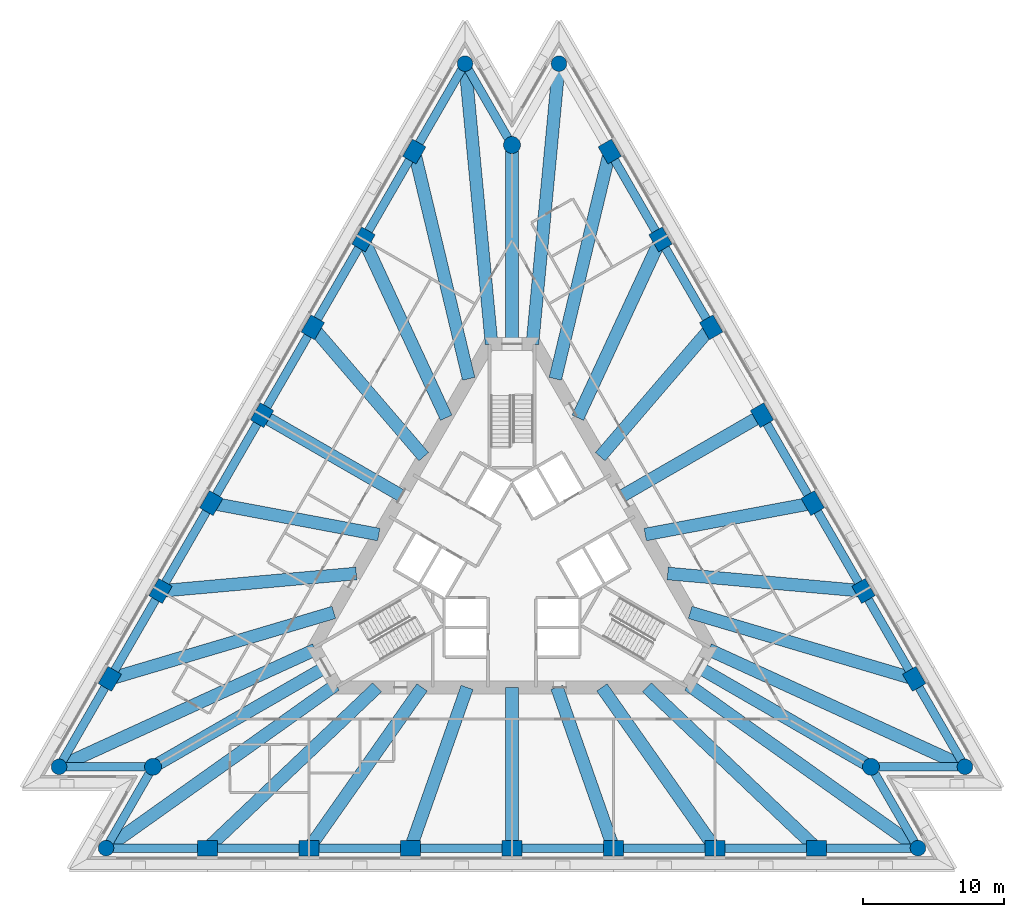
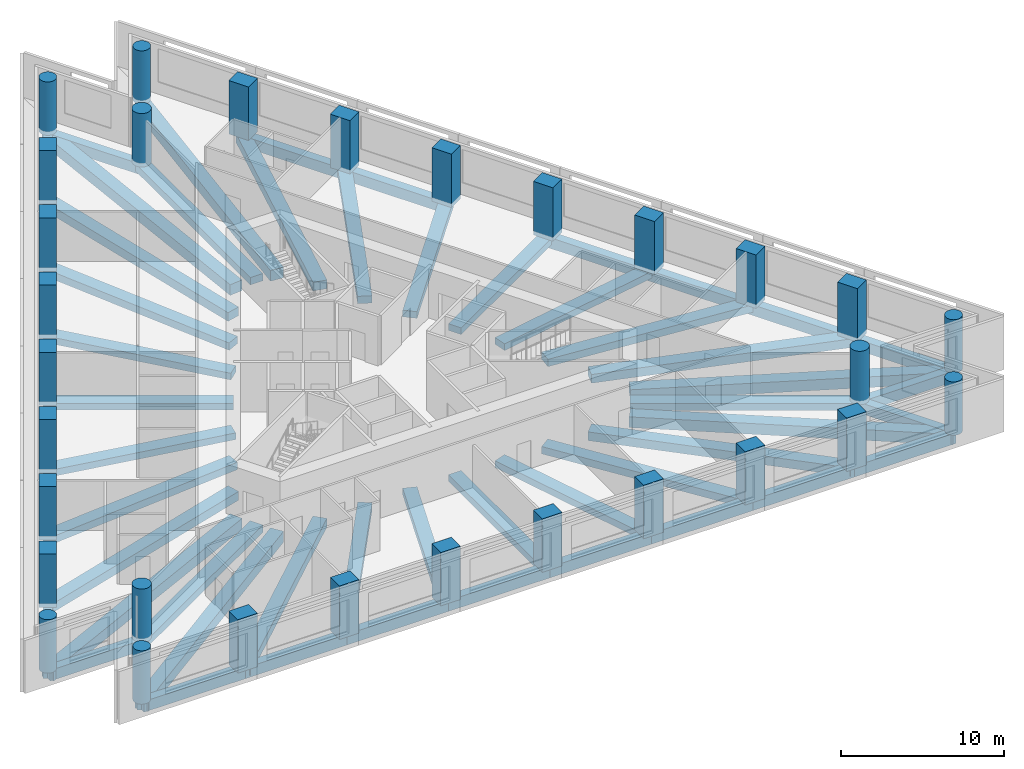
# One storey, part 1 of 11: 57 beams, 30 columns.
"""IFC4 building model written with IfcOpenShell, lengths in metres."""

from ifc_helpers import new_model, si_unit, direction, frame, origin, origin_2d, place, context, subcontext, project, spatial, rectangle, circle, extrude, material, material_profile, profile_set, type_object, element, save


model = new_model("IFC4")

# Units and contexts
model_context = context("Model", 3, precision=1e-05, world=origin(), true_north=direction((0.0, 1.0)))
body_context = subcontext(model_context, "Body", "Model", "MODEL_VIEW")
ifc_project = project(units=[si_unit("LENGTHUNIT", "METRE"), si_unit("AREAUNIT", "SQUARE_METRE"), si_unit("VOLUMEUNIT", "CUBIC_METRE"), si_unit("PLANEANGLEUNIT", "RADIAN"), si_unit("MASSUNIT", "GRAM", prefix="KILO")], contexts=[model_context])

# Site, building, storey
site_placement = place(None, origin())
site = spatial("IfcSite", under=ifc_project, at=site_placement, CompositionType="ELEMENT")
building_placement = place(site_placement, origin())
building = spatial("IfcBuilding", under=site, at=building_placement, Name="Triada Interchange Tower", CompositionType="ELEMENT")
storey_placement = place(building_placement, frame((0.0, 0.0, 87.300048828125)))
storey = spatial("IfcBuildingStorey", under=building, at=storey_placement, Name="L19", CompositionType="ELEMENT", Elevation=87.300048828125)

# Columns
ifc_material_1 = material(Name="Concrete C70/85", Category="concrete")
ifc_material_profile_1 = material_profile(ifc_material_1, rectangle(XDim=1.39990234375, YDim=1.10009765625, at=origin_2d()), Name="RC 1400x1100")
ifc_profile_set_1 = profile_set([ifc_material_profile_1], Name="Concrete C70/85")
column_type_1 = type_object("IfcColumnType", Name="Column A face RC 1400x1100", PredefinedType="COLUMN", material=ifc_profile_set_1)
for number, where, z_axis, x_axis, name in (
    (1, (-6.9169921875, 28.8779296875, -0.300048828125), (0.0, 0.0, 1.0), (0.5, 0.866025403784, 0.0), "Column CA02 L19"),
    (2, (-10.508056640625, 22.656982421875, -0.300048828125), (0.0, 0.0, 1.0), (0.5, 0.866025403784, 0.0), "Column CA03 L19"),
    (3, (-14.10009765625, 16.43603515625, -0.300048828125), (0.0, 0.0, 1.0), (0.5, 0.866025403784, 0.0), "Column CA04 L19"),
    (4, (-17.69189453125, 10.214111328125, -0.300048828125), (0.0, 0.0, 1.0), (0.5, 0.866025403784, 0.0), "Column CA05 L19"),
    (5, (-21.283935546875, 3.992919921875, -0.300048828125), (0.0, 0.0, 1.0), (0.5, 0.866025403784, 0.0), "Column CA06 L19"),
    (6, (-24.8759765625, -2.22802734375, -0.300048828125), (0.0, 0.0, 1.0), (0.5, 0.866025403784, 0.0), "Column CA07 L19"),
    (7, (-28.467041015625, -8.448974609375, -0.300048828125), (0.0, 0.0, 1.0), (0.5, 0.866025403784, 0.0), "Column CA08 L19"),
    (8, (-21.550048828125, -20.428955078125, -0.300048828125), (0.0, 0.0, 1.0), (1.0, 0.0, 0.0), "Column CA11 L19"),
    (9, (-14.366943359375, -20.428955078125, -0.300048828125), (0.0, 0.0, 1.0), (1.0, 0.0, 0.0), "Column CA12 L19"),
    (10, (-7.18408203125, -20.428955078125, -0.300048828125), (0.0, 0.0, 1.0), (1.0, 0.0, 0.0), "Column CA13 L19"),
    (11, (0.0, -20.428955078125, -0.300048828125), (0.0, 0.0, 1.0), (1.0, 0.0, 0.0), "Column CA14 L19"),
    (12, (7.18408203125, -20.428955078125, -0.300048828125), (0.0, 0.0, 1.0), (1.0, 0.0, 0.0), "Column CA15 L19"),
    (13, (14.366943359375, -20.428955078125, -0.300048828125), (0.0, 0.0, 1.0), (1.0, 0.0, 0.0), "Column CA16 L19"),
    (14, (21.550048828125, -20.428955078125, -0.300048828125), (0.0, 0.0, 1.0), (1.0, 0.0, 0.0), "Column CA17 L19"),
    (15, (28.467041015625, -8.448974609375, -0.300048828125), (0.0, 0.0, 1.0), (-0.5, 0.866025403784, 0.0), "Column CA20 L19"),
    (16, (24.8759765625, -2.22802734375, -0.300048828125), (0.0, 0.0, 1.0), (-0.5, 0.866025403784, 0.0), "Column CA21 L19"),
    (17, (21.283935546875, 3.992919921875, -0.300048828125), (0.0, 0.0, 1.0), (-0.5, 0.866025403784, 0.0), "Column CA22 L19"),
    (18, (17.69189453125, 10.214111328125, -0.300048828125), (0.0, 0.0, 1.0), (-0.5, 0.866025403784, 0.0), "Column CA23 L19"),
    (19, (14.10009765625, 16.43603515625, -0.300048828125), (0.0, 0.0, 1.0), (-0.5, 0.866025403784, 0.0), "Column CA24 L19"),
    (20, (10.508056640625, 22.656982421875, -0.300048828125), (0.0, 0.0, 1.0), (-0.5, 0.866025403784, 0.0), "Column CA25 L19"),
    (21, (6.9169921875, 28.8779296875, -0.300048828125), (0.0, 0.0, 1.0), (-0.5, 0.866025403784, 0.0), "Column CA26 L19"),
):
    element("IfcColumn", number, at=place(storey_placement, frame(where, z_axis=z_axis, x_axis=x_axis)), inside=storey, type_object=column_type_1, Name=name, PredefinedType="COLUMN", context=body_context, shape_type="SweptSolid", body=[
        extrude(rectangle(XDim=1.39990234375, YDim=1.10009765625, at=origin_2d()), origin(), (0.0, 0.0, 1.0), 4.0),
    ])
ifc_material_profile_2 = material_profile(ifc_material_1, circle(Radius=0.550048828125, at=origin_2d()), Name="RC D1100")
ifc_profile_set_2 = profile_set([ifc_material_profile_2], Name="Concrete C70/85")
column_type_2 = type_object("IfcColumnType", Name="End column A RC D1100", PredefinedType="COLUMN", material=ifc_profile_set_2)
for number, where, z_axis, x_axis, name in (
    (22, (-3.324951171875, 35.09912109375, -0.300048828125), (0.0, 0.0, 1.0), (0.5, 0.866025403784, 0.0), "Column CA01 L19"),
    (23, (-32.05908203125, -14.669921875, -0.300048828125), (0.0, 0.0, 1.0), (0.5, 0.866025403784, 0.0), "Column CA09 L19"),
    (24, (-28.73388671875, -20.428955078125, -0.300048828125), (0.0, 0.0, 1.0), (1.0, 0.0, 0.0), "Column CA10 L19"),
    (25, (28.73388671875, -20.428955078125, -0.300048828125), (0.0, 0.0, 1.0), (1.0, 0.0, 0.0), "Column CA18 L19"),
    (26, (32.05908203125, -14.669921875, -0.300048828125), (0.0, 0.0, 1.0), (-0.5, 0.866025403784, 0.0), "Column CA19 L19"),
    (27, (3.324951171875, 35.09912109375, -0.300048828125), (0.0, 0.0, 1.0), (-0.5, 0.866025403784, 0.0), "Column CA27 L19"),
):
    element("IfcColumn", number, at=place(storey_placement, frame(where, z_axis=z_axis, x_axis=x_axis)), inside=storey, type_object=column_type_2, Name=name, PredefinedType="COLUMN", context=body_context, shape_type="SweptSolid", body=[
        extrude(circle(Radius=0.550048828125, at=origin_2d()), origin(), (0.0, 0.0, 1.0), 4.0),
    ])
ifc_material_profile_3 = material_profile(ifc_material_1, circle(Radius=0.60009765625, at=origin_2d()), Name="RC D1200")
ifc_profile_set_3 = profile_set([ifc_material_profile_3], Name="Concrete C70/85")
column_type_3 = type_object("IfcColumnType", Name="Mega column A RC D1200", PredefinedType="COLUMN", material=ifc_profile_set_3)
for number, where, z_axis, x_axis, name in (
    (28, (0.0, 29.340087890625, -0.300048828125), (0.0, 0.0, 1.0), (1.0, 0.0, 0.0), "Column MA1 L19"),
    (29, (-25.408935546875, -14.669921875, -0.300048828125), (0.0, 0.0, 1.0), (1.0, 0.0, 0.0), "Column MA2 L19"),
    (30, (25.408935546875, -14.669921875, -0.300048828125), (0.0, 0.0, 1.0), (1.0, 0.0, 0.0), "Column MA3 L19"),
):
    element("IfcColumn", number, at=place(storey_placement, frame(where, z_axis=z_axis, x_axis=x_axis)), inside=storey, type_object=column_type_3, Name=name, PredefinedType="COLUMN", context=body_context, shape_type="SweptSolid", body=[
        extrude(circle(Radius=0.60009765625, at=origin_2d()), origin(), (0.0, 0.0, 1.0), 4.0),
    ])

# Beams
ifc_material_2 = material(Name="Concrete C50/60", Category="concrete")
ifc_material_profile_4 = material_profile(ifc_material_2, rectangle(XDim=0.89990234375, YDim=0.5, at=origin_2d()), Name="RC 900x500")
ifc_profile_set_4 = profile_set([ifc_material_profile_4], Name="Concrete C50/60")
beam_type_1 = type_object("IfcBeamType", Name="Radial band beam A RC 900x500", PredefinedType="BEAM", material=ifc_profile_set_4)
beam_1_placement = place(storey_placement, frame((-14.10009765625, 16.43603515625, -0.550048828125), z_axis=(0.651118009222, -0.758976506927, 0.0), x_axis=(0.758976506927, 0.651118009222, 0.0)))
element("IfcBeam", 31, at=beam_1_placement, inside=storey, type_object=beam_type_1, Name="Radial band beam BA04 L19", PredefinedType="BEAM", context=body_context, shape_type="SweptSolid", body=[
    extrude(rectangle(XDim=0.89990234375, YDim=0.5, at=origin_2d()), origin(), (0.0, 0.0, 1.0), 12.062255859375),
])
beam_2_placement = place(storey_placement, frame((-17.69189453125, 10.214111328125, -0.550048828125), z_axis=(0.866025511234, -0.499999813892, 0.0), x_axis=(0.499999813892, 0.866025511234, 0.0)))
element("IfcBeam", 32, at=beam_2_placement, inside=storey, type_object=beam_type_1, Name="Radial band beam BA05 L19", PredefinedType="BEAM", context=body_context, shape_type="SweptSolid", body=[
    extrude(rectangle(XDim=0.89990234375, YDim=0.5, at=origin_2d()), origin(), (0.0, 0.0, 1.0), 11.37841796875),
])
beam_3_placement = place(storey_placement, frame((-21.283935546875, 3.992919921875, -0.550048828125), z_axis=(0.982856143277, -0.184374080669, 0.0), x_axis=(0.184374080669, 0.982856143277, 0.0)))
element("IfcBeam", 33, at=beam_3_placement, inside=storey, type_object=beam_type_1, Name="Radial band beam BA06 L19", PredefinedType="BEAM", context=body_context, shape_type="SweptSolid", body=[
    extrude(rectangle(XDim=0.89990234375, YDim=0.5, at=origin_2d()), origin(), (0.0, 0.0, 1.0), 12.061767578125),
])
beam_4_placement = place(storey_placement, frame((-7.18408203125, -20.428955078125, -0.550048828125), z_axis=(0.33179614562, 0.943351110537, 0.0), x_axis=(-0.943351110537, 0.33179614562, 0.0)))
element("IfcBeam", 34, at=beam_4_placement, inside=storey, type_object=beam_type_1, Name="Radial band beam BA14 L19", PredefinedType="BEAM", context=body_context, shape_type="SweptSolid", body=[
    extrude(rectangle(XDim=0.89990234375, YDim=0.5, at=origin_2d()), origin(), (0.0, 0.0, 1.0), 12.062255859375),
])
beam_5_placement = place(storey_placement, frame((0.0, -20.428955078125, -0.550048828125), z_axis=(0.0, 1.0, 0.0), x_axis=(-1.0, 0.0, 0.0)))
element("IfcBeam", 35, at=beam_5_placement, inside=storey, type_object=beam_type_1, Name="Radial band beam BA15 L19", PredefinedType="BEAM", context=body_context, shape_type="SweptSolid", body=[
    extrude(rectangle(XDim=0.89990234375, YDim=0.5, at=origin_2d()), origin(), (0.0, 0.0, 1.0), 11.37890625),
])
beam_6_placement = place(storey_placement, frame((7.18408203125, -20.428955078125, -0.550048828125), z_axis=(-0.33179614562, 0.943351110537, 0.0), x_axis=(-0.943351110537, -0.33179614562, 0.0)))
element("IfcBeam", 36, at=beam_6_placement, inside=storey, type_object=beam_type_1, Name="Radial band beam BA16 L19", PredefinedType="BEAM", context=body_context, shape_type="SweptSolid", body=[
    extrude(rectangle(XDim=0.89990234375, YDim=0.5, at=origin_2d()), origin(), (0.0, 0.0, 1.0), 12.062255859375),
])
beam_7_placement = place(storey_placement, frame((21.283935546875, 3.992919921875, -0.550048828125), z_axis=(-0.982856143277, -0.184374080669, 0.0), x_axis=(0.184374080669, -0.982856143277, 0.0)))
element("IfcBeam", 37, at=beam_7_placement, inside=storey, type_object=beam_type_1, Name="Radial band beam BA24 L19", PredefinedType="BEAM", context=body_context, shape_type="SweptSolid", body=[
    extrude(rectangle(XDim=0.89990234375, YDim=0.5, at=origin_2d()), origin(), (0.0, 0.0, 1.0), 12.061767578125),
])
beam_8_placement = place(storey_placement, frame((17.69189453125, 10.214111328125, -0.550048828125), z_axis=(-0.866025511234, -0.499999813892, 0.0), x_axis=(0.499999813892, -0.866025511234, 0.0)))
element("IfcBeam", 38, at=beam_8_placement, inside=storey, type_object=beam_type_1, Name="Radial band beam BA25 L19", PredefinedType="BEAM", context=body_context, shape_type="SweptSolid", body=[
    extrude(rectangle(XDim=0.89990234375, YDim=0.5, at=origin_2d()), origin(), (0.0, 0.0, 1.0), 11.37841796875),
])
beam_9_placement = place(storey_placement, frame((14.10009765625, 16.43603515625, -0.550048828125), z_axis=(-0.651118009222, -0.758976506927, 0.0), x_axis=(0.758976506927, -0.651118009222, 0.0)))
element("IfcBeam", 39, at=beam_9_placement, inside=storey, type_object=beam_type_1, Name="Radial band beam BA26 L19", PredefinedType="BEAM", context=body_context, shape_type="SweptSolid", body=[
    extrude(rectangle(XDim=0.89990234375, YDim=0.5, at=origin_2d()), origin(), (0.0, 0.0, 1.0), 12.062255859375),
])
ifc_material_profile_5 = material_profile(ifc_material_2, rectangle(XDim=0.89990234375, YDim=0.550048828125, at=origin_2d()), Name="RC 900x550")
ifc_profile_set_5 = profile_set([ifc_material_profile_5], Name="Concrete C50/60")
beam_type_2 = type_object("IfcBeamType", Name="Radial band beam A RC 900x550", PredefinedType="BEAM", material=ifc_profile_set_5)
beam_10_placement = place(storey_placement, frame((-10.508056640625, 22.656982421875, -0.574951171875), z_axis=(0.420744654852, -0.907179108783, 0.0), x_axis=(0.907179108783, 0.420744654852, 0.0)))
element("IfcBeam", 40, at=beam_10_placement, inside=storey, type_object=beam_type_2, Name="Radial band beam BA03 L19", PredefinedType="BEAM", context=body_context, shape_type="SweptSolid", body=[
    extrude(rectangle(XDim=0.89990234375, YDim=0.550048828125, at=origin_2d()), origin(), (0.0, 0.0, 1.0), 13.9111328125),
])
beam_11_placement = place(storey_placement, frame((-24.8759765625, -2.22802734375, -0.574951171875), z_axis=(0.996013294925, 0.089204912043, 0.0), x_axis=(-0.089204912043, 0.996013294925, 0.0)))
element("IfcBeam", 41, at=beam_11_placement, inside=storey, type_object=beam_type_2, Name="Radial band beam BA07 L19", PredefinedType="BEAM", context=body_context, shape_type="SweptSolid", body=[
    extrude(rectangle(XDim=0.89990234375, YDim=0.550048828125, at=origin_2d()), origin(), (0.0, 0.0, 1.0), 13.911376953125),
])
beam_12_placement = place(storey_placement, frame((-25.408935546875, -14.669921875, -0.574951171875), z_axis=(0.866020820126, 0.500007939045, 0.0), x_axis=(-0.500007939045, 0.866020820126, 0.0)))
element("IfcBeam", 42, at=beam_12_placement, inside=storey, type_object=beam_type_2, Name="Radial band beam BA10 L19", PredefinedType="BEAM", context=body_context, shape_type="SweptSolid", body=[
    extrude(rectangle(XDim=0.89990234375, YDim=0.550048828125, at=origin_2d()), origin(), (0.0, 0.0, 1.0), 14.089599609375),
])
for number, where, z_axis, x_axis, name in (
    (43, (-14.366943359375, -20.428955078125, -0.574951171875), (0.575232535811, 0.817989932545, 0.0), (-0.817989932545, 0.575232535811, 0.0), "Radial band beam BA13 L19"),
    (44, (14.366943359375, -20.428955078125, -0.574951171875), (-0.575232535811, 0.817989932545, 0.0), (-0.817989932545, -0.575232535811, 0.0), "Radial band beam BA17 L19"),
):
    element("IfcBeam", number, at=place(storey_placement, frame(where, z_axis=z_axis, x_axis=x_axis)), inside=storey, type_object=beam_type_2, Name=name, PredefinedType="BEAM", context=body_context, shape_type="SweptSolid", body=[
        extrude(rectangle(XDim=0.89990234375, YDim=0.550048828125, at=origin_2d()), origin(), (0.0, 0.0, 1.0), 13.910888671875),
    ])
beam_13_placement = place(storey_placement, frame((25.408935546875, -14.669921875, -0.574951171875), z_axis=(-0.866020820126, 0.500007939045, 0.0), x_axis=(-0.500007939045, -0.866020820126, 0.0)))
element("IfcBeam", 45, at=beam_13_placement, inside=storey, type_object=beam_type_2, Name="Radial band beam BA20 L19", PredefinedType="BEAM", context=body_context, shape_type="SweptSolid", body=[
    extrude(rectangle(XDim=0.89990234375, YDim=0.550048828125, at=origin_2d()), origin(), (0.0, 0.0, 1.0), 14.089599609375),
])
beam_14_placement = place(storey_placement, frame((24.8759765625, -2.22802734375, -0.574951171875), z_axis=(-0.996013294925, 0.089204912043, 0.0), x_axis=(-0.089204912043, -0.996013294925, 0.0)))
element("IfcBeam", 46, at=beam_14_placement, inside=storey, type_object=beam_type_2, Name="Radial band beam BA23 L19", PredefinedType="BEAM", context=body_context, shape_type="SweptSolid", body=[
    extrude(rectangle(XDim=0.89990234375, YDim=0.550048828125, at=origin_2d()), origin(), (0.0, 0.0, 1.0), 13.911376953125),
])
beam_15_placement = place(storey_placement, frame((10.508056640625, 22.656982421875, -0.574951171875), z_axis=(-0.420744654852, -0.907179108783, 0.0), x_axis=(0.907179108783, -0.420744654852, 0.0)))
element("IfcBeam", 47, at=beam_15_placement, inside=storey, type_object=beam_type_2, Name="Radial band beam BA27 L19", PredefinedType="BEAM", context=body_context, shape_type="SweptSolid", body=[
    extrude(rectangle(XDim=0.89990234375, YDim=0.550048828125, at=origin_2d()), origin(), (0.0, 0.0, 1.0), 13.9111328125),
])
beam_16_placement = place(storey_placement, frame((0.0, 29.340087890625, -0.574951171875), z_axis=(0.0, -1.0, 0.0), x_axis=(1.0, 0.0, 0.0)))
element("IfcBeam", 48, at=beam_16_placement, inside=storey, type_object=beam_type_2, Name="Radial band beam BA30 L19", PredefinedType="BEAM", context=body_context, shape_type="SweptSolid", body=[
    extrude(rectangle(XDim=0.89990234375, YDim=0.550048828125, at=origin_2d()), origin(), (0.0, 0.0, 1.0), 14.090087890625),
])
ifc_material_profile_6 = material_profile(ifc_material_2, rectangle(XDim=0.89990234375, YDim=0.64990234375, at=origin_2d()), Name="RC 900x650")
ifc_profile_set_6 = profile_set([ifc_material_profile_6], Name="Concrete C50/60")
beam_type_3 = type_object("IfcBeamType", Name="Radial band beam A RC 900x650", PredefinedType="BEAM", material=ifc_profile_set_6)
beam_17_placement = place(storey_placement, frame((-6.9169921875, 28.8779296875, -0.625), z_axis=(0.232938621419, -0.972491438858, 0.0), x_axis=(0.972491438858, 0.232938621419, 0.0)))
element("IfcBeam", 49, at=beam_17_placement, inside=storey, type_object=beam_type_3, Name="Radial band beam BA02 L19", PredefinedType="BEAM", context=body_context, shape_type="SweptSolid", body=[
    extrude(rectangle(XDim=0.89990234375, YDim=0.64990234375, at=origin_2d()), origin(), (0.0, 0.0, 1.0), 16.541015625),
])
beam_18_placement = place(storey_placement, frame((-28.467041015625, -8.448974609375, -0.625), z_axis=(0.958666370903, 0.284532580383, 0.0), x_axis=(-0.284532580383, 0.958666370903, 0.0)))
element("IfcBeam", 50, at=beam_18_placement, inside=storey, type_object=beam_type_3, Name="Radial band beam BA08 L19", PredefinedType="BEAM", context=body_context, shape_type="SweptSolid", body=[
    extrude(rectangle(XDim=0.89990234375, YDim=0.64990234375, at=origin_2d()), origin(), (0.0, 0.0, 1.0), 16.53955078125),
])
for number, where, z_axis, x_axis, name in (
    (51, (-21.550048828125, -20.428955078125, -0.625), (0.725719910924, 0.687990269472, 0.0), (-0.687990269472, 0.725719910924, 0.0), "Radial band beam BA12 L19"),
    (52, (21.550048828125, -20.428955078125, -0.625), (-0.725719910924, 0.687990269472, 0.0), (-0.687990269472, -0.725719910924, 0.0), "Radial band beam BA18 L19"),
):
    element("IfcBeam", number, at=place(storey_placement, frame(where, z_axis=z_axis, x_axis=x_axis)), inside=storey, type_object=beam_type_3, Name=name, PredefinedType="BEAM", context=body_context, shape_type="SweptSolid", body=[
        extrude(rectangle(XDim=0.89990234375, YDim=0.64990234375, at=origin_2d()), origin(), (0.0, 0.0, 1.0), 16.539306640625),
    ])
beam_19_placement = place(storey_placement, frame((28.467041015625, -8.448974609375, -0.625), z_axis=(-0.958666370903, 0.284532580383, 0.0), x_axis=(-0.284532580383, -0.958666370903, 0.0)))
element("IfcBeam", 53, at=beam_19_placement, inside=storey, type_object=beam_type_3, Name="Radial band beam BA22 L19", PredefinedType="BEAM", context=body_context, shape_type="SweptSolid", body=[
    extrude(rectangle(XDim=0.89990234375, YDim=0.64990234375, at=origin_2d()), origin(), (0.0, 0.0, 1.0), 16.53955078125),
])
beam_20_placement = place(storey_placement, frame((6.9169921875, 28.8779296875, -0.625), z_axis=(-0.232938621419, -0.972491438858, 0.0), x_axis=(0.972491438858, -0.232938621419, 0.0)))
element("IfcBeam", 54, at=beam_20_placement, inside=storey, type_object=beam_type_3, Name="Radial band beam BA28 L19", PredefinedType="BEAM", context=body_context, shape_type="SweptSolid", body=[
    extrude(rectangle(XDim=0.89990234375, YDim=0.64990234375, at=origin_2d()), origin(), (0.0, 0.0, 1.0), 16.541015625),
])
ifc_material_profile_7 = material_profile(ifc_material_2, rectangle(XDim=0.89990234375, YDim=0.800048828125, at=origin_2d()), Name="RC 900x800")
ifc_profile_set_7 = profile_set([ifc_material_profile_7], Name="Concrete C50/60")
beam_type_4 = type_object("IfcBeamType", Name="Radial band beam A RC 900x800", PredefinedType="BEAM", material=ifc_profile_set_7)
for number, where, z_axis, x_axis, name in (
    (55, (-3.324951171875, 35.09912109375, -0.699951171875), (0.09428669852, -0.995545086112, 0.0), (0.995545086112, 0.09428669852, 0.0), "Radial band beam BA01 L19"),
    (56, (-32.05908203125, -14.669921875, -0.699951171875), (0.909325724629, 0.416084999163, 0.0), (-0.416084999163, 0.909325724629, 0.0), "Radial band beam BA09 L19"),
):
    element("IfcBeam", number, at=place(storey_placement, frame(where, z_axis=z_axis, x_axis=x_axis)), inside=storey, type_object=beam_type_4, Name=name, PredefinedType="BEAM", context=body_context, shape_type="SweptSolid", body=[
        extrude(rectangle(XDim=0.89990234375, YDim=0.800048828125, at=origin_2d()), origin(), (0.0, 0.0, 1.0), 19.93798828125),
    ])
for number, where, z_axis, x_axis, name in (
    (57, (-28.73388671875, -20.428955078125, -0.699951171875), (0.815016363513, 0.579437940772, 0.0), (-0.579437940772, 0.815016363513, 0.0), "Radial band beam BA11 L19"),
    (58, (28.73388671875, -20.428955078125, -0.699951171875), (-0.815016363513, 0.579437940772, 0.0), (-0.579437940772, -0.815016363513, 0.0), "Radial band beam BA19 L19"),
):
    element("IfcBeam", number, at=place(storey_placement, frame(where, z_axis=z_axis, x_axis=x_axis)), inside=storey, type_object=beam_type_4, Name=name, PredefinedType="BEAM", context=body_context, shape_type="SweptSolid", body=[
        extrude(rectangle(XDim=0.89990234375, YDim=0.800048828125, at=origin_2d()), origin(), (0.0, 0.0, 1.0), 19.938232421875),
    ])
for number, where, z_axis, x_axis, name in (
    (59, (32.05908203125, -14.669921875, -0.699951171875), (-0.909325724629, 0.416084999163, 0.0), (-0.416084999163, -0.909325724629, 0.0), "Radial band beam BA21 L19"),
    (60, (3.324951171875, 35.09912109375, -0.699951171875), (-0.09428669852, -0.995545086112, 0.0), (0.995545086112, -0.09428669852, 0.0), "Radial band beam BA29 L19"),
):
    element("IfcBeam", number, at=place(storey_placement, frame(where, z_axis=z_axis, x_axis=x_axis)), inside=storey, type_object=beam_type_4, Name=name, PredefinedType="BEAM", context=body_context, shape_type="SweptSolid", body=[
        extrude(rectangle(XDim=0.89990234375, YDim=0.800048828125, at=origin_2d()), origin(), (0.0, 0.0, 1.0), 19.93798828125),
    ])
ifc_material_profile_8 = material_profile(ifc_material_2, rectangle(XDim=0.60009765625, YDim=0.800048828125, at=origin_2d()), Name="RC 600x800")
ifc_profile_set_8 = profile_set([ifc_material_profile_8], Name="Concrete C50/60")
beam_type_5 = type_object("IfcBeamType", Name="Spandrel beam A RC 600x800", PredefinedType="BEAM", material=ifc_profile_set_8)
beam_21_placement = place(storey_placement, frame((-3.324951171875, 35.09912109375, -0.699951171875), z_axis=(-0.500024480384, -0.866011269567, 0.0), x_axis=(0.866011269567, -0.500024480384, 0.0)))
element("IfcBeam", 61, at=beam_21_placement, inside=storey, type_object=beam_type_5, Name="Spandrel beam EA01 L19", PredefinedType="BEAM", context=body_context, shape_type="SweptSolid", body=[
    extrude(rectangle(XDim=0.60009765625, YDim=0.800048828125, at=origin_2d()), origin(), (0.0, 0.0, 1.0), 7.183837890625),
])
beam_22_placement = place(storey_placement, frame((-6.9169921875, 28.8779296875, -0.699951171875), z_axis=(-0.49993723354, -0.866061638985, 0.0), x_axis=(0.866061638985, -0.49993723354, 0.0)))
element("IfcBeam", 62, at=beam_22_placement, inside=storey, type_object=beam_type_5, Name="Spandrel beam EA02 L19", PredefinedType="BEAM", context=body_context, shape_type="SweptSolid", body=[
    extrude(rectangle(XDim=0.60009765625, YDim=0.800048828125, at=origin_2d()), origin(), (0.0, 0.0, 1.0), 7.18310546875),
])
beam_23_placement = place(storey_placement, frame((-10.508056640625, 22.656982421875, -0.699951171875), z_axis=(-0.500039197255, -0.866002772056, 0.0), x_axis=(0.866002772056, -0.500039197255, 0.0)))
element("IfcBeam", 63, at=beam_23_placement, inside=storey, type_object=beam_type_5, Name="Spandrel beam EA03 L19", PredefinedType="BEAM", context=body_context, shape_type="SweptSolid", body=[
    extrude(rectangle(XDim=0.60009765625, YDim=0.800048828125, at=origin_2d()), origin(), (0.0, 0.0, 1.0), 7.18359375),
])
beam_24_placement = place(storey_placement, frame((-14.10009765625, 16.43603515625, -0.699951171875), z_axis=(-0.499954846121, -0.866051471819, 0.0), x_axis=(0.866051471819, -0.499954846121, 0.0)))
element("IfcBeam", 64, at=beam_24_placement, inside=storey, type_object=beam_type_5, Name="Spandrel beam EA04 L19", PredefinedType="BEAM", context=body_context, shape_type="SweptSolid", body=[
    extrude(rectangle(XDim=0.60009765625, YDim=0.800048828125, at=origin_2d()), origin(), (0.0, 0.0, 1.0), 7.184326171875),
])
beam_25_placement = place(storey_placement, frame((-17.69189453125, 10.214111328125, -0.699951171875), z_axis=(-0.500024480384, -0.866011269567, 0.0), x_axis=(0.866011269567, -0.500024480384, 0.0)))
element("IfcBeam", 65, at=beam_25_placement, inside=storey, type_object=beam_type_5, Name="Spandrel beam EA05 L19", PredefinedType="BEAM", context=body_context, shape_type="SweptSolid", body=[
    extrude(rectangle(XDim=0.60009765625, YDim=0.800048828125, at=origin_2d()), origin(), (0.0, 0.0, 1.0), 7.183837890625),
])
beam_26_placement = place(storey_placement, frame((-21.283935546875, 3.992919921875, -0.699951171875), z_axis=(-0.500039197255, -0.866002772056, 0.0), x_axis=(0.866002772056, -0.500039197255, 0.0)))
element("IfcBeam", 66, at=beam_26_placement, inside=storey, type_object=beam_type_5, Name="Spandrel beam EA06 L19", PredefinedType="BEAM", context=body_context, shape_type="SweptSolid", body=[
    extrude(rectangle(XDim=0.60009765625, YDim=0.800048828125, at=origin_2d()), origin(), (0.0, 0.0, 1.0), 7.18359375),
])
beam_27_placement = place(storey_placement, frame((-24.8759765625, -2.22802734375, -0.699951171875), z_axis=(-0.49993723354, -0.866061638985, 0.0), x_axis=(0.866061638985, -0.49993723354, 0.0)))
element("IfcBeam", 67, at=beam_27_placement, inside=storey, type_object=beam_type_5, Name="Spandrel beam EA07 L19", PredefinedType="BEAM", context=body_context, shape_type="SweptSolid", body=[
    extrude(rectangle(XDim=0.60009765625, YDim=0.800048828125, at=origin_2d()), origin(), (0.0, 0.0, 1.0), 7.18310546875),
])
beam_28_placement = place(storey_placement, frame((-28.467041015625, -8.448974609375, -0.699951171875), z_axis=(-0.500039197255, -0.866002772056, 0.0), x_axis=(0.866002772056, -0.500039197255, 0.0)))
element("IfcBeam", 68, at=beam_28_placement, inside=storey, type_object=beam_type_5, Name="Spandrel beam EA08 L19", PredefinedType="BEAM", context=body_context, shape_type="SweptSolid", body=[
    extrude(rectangle(XDim=0.60009765625, YDim=0.800048828125, at=origin_2d()), origin(), (0.0, 0.0, 1.0), 7.18359375),
])
beam_29_placement = place(storey_placement, frame((-32.05908203125, -14.669921875, -0.699951171875), z_axis=(1.0, 0.0, 0.0), x_axis=(0.0, 1.0, 0.0)))
element("IfcBeam", 69, at=beam_29_placement, inside=storey, type_object=beam_type_5, Name="Spandrel beam EA09 L19", PredefinedType="BEAM", context=body_context, shape_type="SweptSolid", body=[
    extrude(rectangle(XDim=0.60009765625, YDim=0.800048828125, at=origin_2d()), origin(), (0.0, 0.0, 1.0), 6.650146484375),
])
beam_30_placement = place(storey_placement, frame((-25.408935546875, -14.669921875, -0.699951171875), z_axis=(-0.49999681972, -0.866027239912, 0.0), x_axis=(0.866027239912, -0.49999681972, 0.0)))
element("IfcBeam", 70, at=beam_30_placement, inside=storey, type_object=beam_type_5, Name="Spandrel beam EA10 L19", PredefinedType="BEAM", context=body_context, shape_type="SweptSolid", body=[
    extrude(rectangle(XDim=0.60009765625, YDim=0.800048828125, at=origin_2d()), origin(), (0.0, 0.0, 1.0), 6.64990234375),
])
beam_31_placement = place(storey_placement, frame((-28.73388671875, -20.428955078125, -0.699951171875), z_axis=(1.0, 0.0, 0.0), x_axis=(0.0, 1.0, 0.0)))
element("IfcBeam", 71, at=beam_31_placement, inside=storey, type_object=beam_type_5, Name="Spandrel beam EA11 L19", PredefinedType="BEAM", context=body_context, shape_type="SweptSolid", body=[
    extrude(rectangle(XDim=0.60009765625, YDim=0.800048828125, at=origin_2d()), origin(), (0.0, 0.0, 1.0), 7.183837890625),
])
beam_32_placement = place(storey_placement, frame((-21.550048828125, -20.428955078125, -0.699951171875), z_axis=(1.0, 0.0, 0.0), x_axis=(0.0, 1.0, 0.0)))
element("IfcBeam", 72, at=beam_32_placement, inside=storey, type_object=beam_type_5, Name="Spandrel beam EA12 L19", PredefinedType="BEAM", context=body_context, shape_type="SweptSolid", body=[
    extrude(rectangle(XDim=0.60009765625, YDim=0.800048828125, at=origin_2d()), origin(), (0.0, 0.0, 1.0), 7.18310546875),
])
beam_33_placement = place(storey_placement, frame((-14.366943359375, -20.428955078125, -0.699951171875), z_axis=(1.0, 0.0, 0.0), x_axis=(0.0, 1.0, 0.0)))
element("IfcBeam", 73, at=beam_33_placement, inside=storey, type_object=beam_type_5, Name="Spandrel beam EA13 L19", PredefinedType="BEAM", context=body_context, shape_type="SweptSolid", body=[
    extrude(rectangle(XDim=0.60009765625, YDim=0.800048828125, at=origin_2d()), origin(), (0.0, 0.0, 1.0), 7.182861328125),
])
for number, where, z_axis, x_axis, name in (
    (74, (-7.18408203125, -20.428955078125, -0.699951171875), (1.0, 0.0, 0.0), (0.0, 1.0, 0.0), "Spandrel beam EA14 L19"),
    (75, (0.0, -20.428955078125, -0.699951171875), (1.0, 0.0, 0.0), (0.0, 1.0, 0.0), "Spandrel beam EA15 L19"),
):
    element("IfcBeam", number, at=place(storey_placement, frame(where, z_axis=z_axis, x_axis=x_axis)), inside=storey, type_object=beam_type_5, Name=name, PredefinedType="BEAM", context=body_context, shape_type="SweptSolid", body=[
        extrude(rectangle(XDim=0.60009765625, YDim=0.800048828125, at=origin_2d()), origin(), (0.0, 0.0, 1.0), 7.18408203125),
    ])
beam_34_placement = place(storey_placement, frame((7.18408203125, -20.428955078125, -0.699951171875), z_axis=(1.0, 0.0, 0.0), x_axis=(0.0, 1.0, 0.0)))
element("IfcBeam", 76, at=beam_34_placement, inside=storey, type_object=beam_type_5, Name="Spandrel beam EA16 L19", PredefinedType="BEAM", context=body_context, shape_type="SweptSolid", body=[
    extrude(rectangle(XDim=0.60009765625, YDim=0.800048828125, at=origin_2d()), origin(), (0.0, 0.0, 1.0), 7.182861328125),
])
beam_35_placement = place(storey_placement, frame((14.366943359375, -20.428955078125, -0.699951171875), z_axis=(1.0, 0.0, 0.0), x_axis=(0.0, 1.0, 0.0)))
element("IfcBeam", 77, at=beam_35_placement, inside=storey, type_object=beam_type_5, Name="Spandrel beam EA17 L19", PredefinedType="BEAM", context=body_context, shape_type="SweptSolid", body=[
    extrude(rectangle(XDim=0.60009765625, YDim=0.800048828125, at=origin_2d()), origin(), (0.0, 0.0, 1.0), 7.18310546875),
])
beam_36_placement = place(storey_placement, frame((21.550048828125, -20.428955078125, -0.699951171875), z_axis=(1.0, 0.0, 0.0), x_axis=(0.0, 1.0, 0.0)))
element("IfcBeam", 78, at=beam_36_placement, inside=storey, type_object=beam_type_5, Name="Spandrel beam EA18 L19", PredefinedType="BEAM", context=body_context, shape_type="SweptSolid", body=[
    extrude(rectangle(XDim=0.60009765625, YDim=0.800048828125, at=origin_2d()), origin(), (0.0, 0.0, 1.0), 7.183837890625),
])
beam_37_placement = place(storey_placement, frame((28.73388671875, -20.428955078125, -0.699951171875), z_axis=(-0.49999681972, 0.866027239912, 0.0), x_axis=(-0.866027239912, -0.49999681972, 0.0)))
element("IfcBeam", 79, at=beam_37_placement, inside=storey, type_object=beam_type_5, Name="Spandrel beam EA19 L19", PredefinedType="BEAM", context=body_context, shape_type="SweptSolid", body=[
    extrude(rectangle(XDim=0.60009765625, YDim=0.800048828125, at=origin_2d()), origin(), (0.0, 0.0, 1.0), 6.64990234375),
])
beam_38_placement = place(storey_placement, frame((25.408935546875, -14.669921875, -0.699951171875), z_axis=(1.0, 0.0, 0.0), x_axis=(0.0, 1.0, 0.0)))
element("IfcBeam", 80, at=beam_38_placement, inside=storey, type_object=beam_type_5, Name="Spandrel beam EA20 L19", PredefinedType="BEAM", context=body_context, shape_type="SweptSolid", body=[
    extrude(rectangle(XDim=0.60009765625, YDim=0.800048828125, at=origin_2d()), origin(), (0.0, 0.0, 1.0), 6.650146484375),
])
beam_39_placement = place(storey_placement, frame((32.05908203125, -14.669921875, -0.699951171875), z_axis=(-0.500039197255, 0.866002772056, 0.0), x_axis=(-0.866002772056, -0.500039197255, 0.0)))
element("IfcBeam", 81, at=beam_39_placement, inside=storey, type_object=beam_type_5, Name="Spandrel beam EA21 L19", PredefinedType="BEAM", context=body_context, shape_type="SweptSolid", body=[
    extrude(rectangle(XDim=0.60009765625, YDim=0.800048828125, at=origin_2d()), origin(), (0.0, 0.0, 1.0), 7.18359375),
])
beam_40_placement = place(storey_placement, frame((28.467041015625, -8.448974609375, -0.699951171875), z_axis=(-0.49993723354, 0.866061638985, 0.0), x_axis=(-0.866061638985, -0.49993723354, 0.0)))
element("IfcBeam", 82, at=beam_40_placement, inside=storey, type_object=beam_type_5, Name="Spandrel beam EA22 L19", PredefinedType="BEAM", context=body_context, shape_type="SweptSolid", body=[
    extrude(rectangle(XDim=0.60009765625, YDim=0.800048828125, at=origin_2d()), origin(), (0.0, 0.0, 1.0), 7.18310546875),
])
beam_41_placement = place(storey_placement, frame((24.8759765625, -2.22802734375, -0.699951171875), z_axis=(-0.500039197255, 0.866002772056, 0.0), x_axis=(-0.866002772056, -0.500039197255, 0.0)))
element("IfcBeam", 83, at=beam_41_placement, inside=storey, type_object=beam_type_5, Name="Spandrel beam EA23 L19", PredefinedType="BEAM", context=body_context, shape_type="SweptSolid", body=[
    extrude(rectangle(XDim=0.60009765625, YDim=0.800048828125, at=origin_2d()), origin(), (0.0, 0.0, 1.0), 7.18359375),
])
beam_42_placement = place(storey_placement, frame((21.283935546875, 3.992919921875, -0.699951171875), z_axis=(-0.500024480384, 0.866011269567, 0.0), x_axis=(-0.866011269567, -0.500024480384, 0.0)))
element("IfcBeam", 84, at=beam_42_placement, inside=storey, type_object=beam_type_5, Name="Spandrel beam EA24 L19", PredefinedType="BEAM", context=body_context, shape_type="SweptSolid", body=[
    extrude(rectangle(XDim=0.60009765625, YDim=0.800048828125, at=origin_2d()), origin(), (0.0, 0.0, 1.0), 7.183837890625),
])
beam_43_placement = place(storey_placement, frame((14.10009765625, 16.43603515625, -0.699951171875), z_axis=(-0.500039197255, 0.866002772056, 0.0), x_axis=(-0.866002772056, -0.500039197255, 0.0)))
element("IfcBeam", 85, at=beam_43_placement, inside=storey, type_object=beam_type_5, Name="Spandrel beam EA26 L19", PredefinedType="BEAM", context=body_context, shape_type="SweptSolid", body=[
    extrude(rectangle(XDim=0.60009765625, YDim=0.800048828125, at=origin_2d()), origin(), (0.0, 0.0, 1.0), 7.18359375),
])
beam_44_placement = place(storey_placement, frame((10.508056640625, 22.656982421875, -0.699951171875), z_axis=(-0.49993723354, 0.866061638985, 0.0), x_axis=(-0.866061638985, -0.49993723354, 0.0)))
element("IfcBeam", 86, at=beam_44_placement, inside=storey, type_object=beam_type_5, Name="Spandrel beam EA27 L19", PredefinedType="BEAM", context=body_context, shape_type="SweptSolid", body=[
    extrude(rectangle(XDim=0.60009765625, YDim=0.800048828125, at=origin_2d()), origin(), (0.0, 0.0, 1.0), 7.18310546875),
])
beam_45_placement = place(storey_placement, frame((0.0, 29.340087890625, -0.699951171875), z_axis=(-0.49999681972, 0.866027239912, 0.0), x_axis=(-0.866027239912, -0.49999681972, 0.0)))
element("IfcBeam", 87, at=beam_45_placement, inside=storey, type_object=beam_type_5, Name="Spandrel beam EA30 L19", PredefinedType="BEAM", context=body_context, shape_type="SweptSolid", body=[
    extrude(rectangle(XDim=0.60009765625, YDim=0.800048828125, at=origin_2d()), origin(), (0.0, 0.0, 1.0), 6.64990234375),
])

save(model, "model.ifc")
